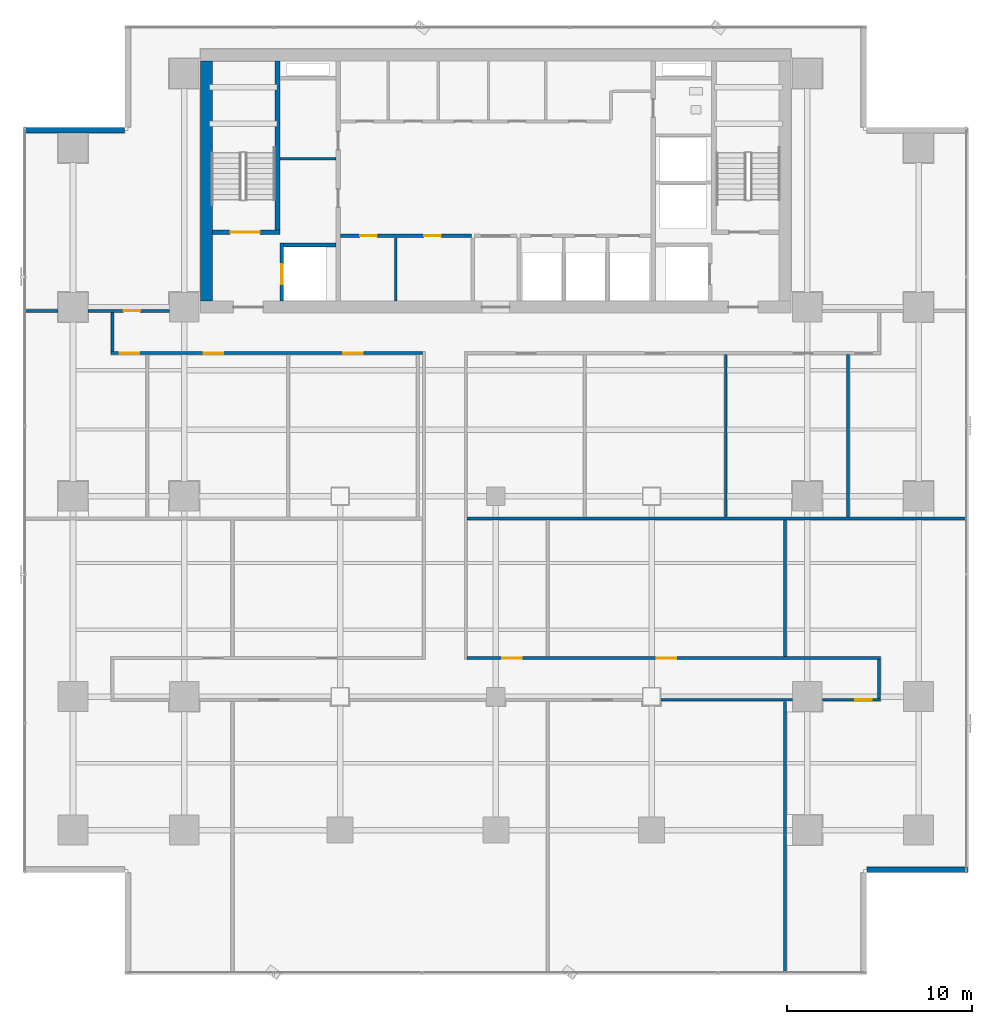
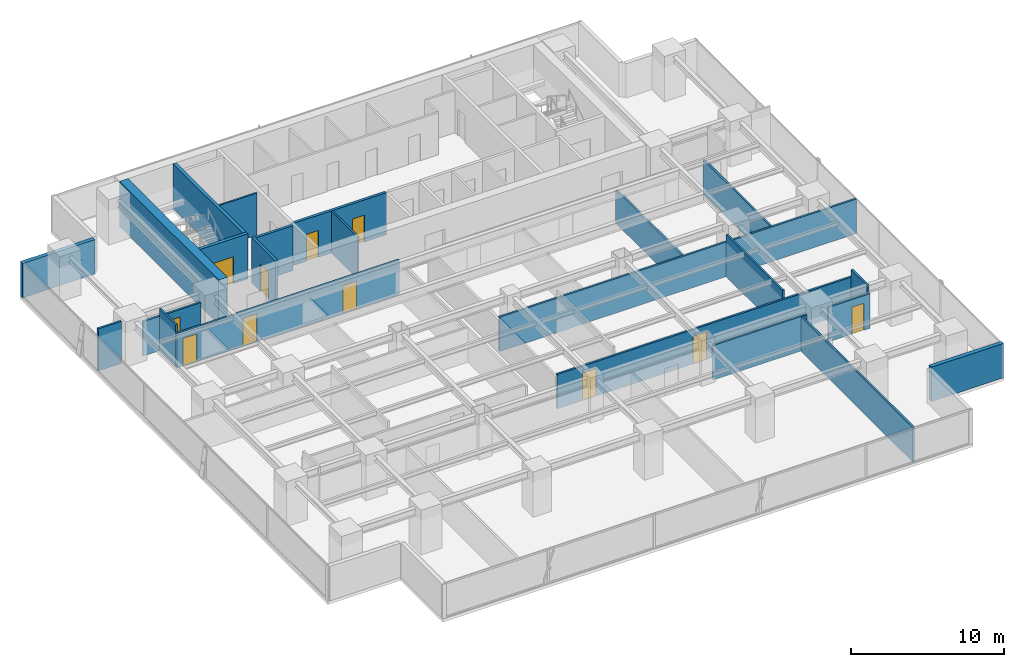
# One storey, part 26 of 34: 23 walls, 11 doors, 11 openings.
"""IFC4 building model written with IfcOpenShell, lengths in metres."""

from ifc_helpers import new_model, si_unit, direction, frame, frame_2d, origin, place, context, subcontext, project, spatial, rectangle, extrude, source, transform, mapped, material, layer, layer_set, type_object, element, fill, save


model = new_model("IFC4")

# Units and contexts
model_context = context("Model", 3, precision=1e-05, world=origin(), true_north=direction((0.0, 1.0)))
body_context = subcontext(model_context, "Body", "Model", "MODEL_VIEW")
ifc_project = project(units=[si_unit("LENGTHUNIT", "METRE"), si_unit("AREAUNIT", "SQUARE_METRE"), si_unit("VOLUMEUNIT", "CUBIC_METRE"), si_unit("PLANEANGLEUNIT", "RADIAN"), si_unit("MASSUNIT", "GRAM", prefix="KILO")], contexts=[model_context])

# Site, building, storey
site_placement = place(None, origin())
site = spatial("IfcSite", under=ifc_project, at=site_placement, CompositionType="ELEMENT")
building_placement = place(site_placement, origin())
building = spatial("IfcBuilding", under=site, at=building_placement, Name="Sumidabori Civic Tower", CompositionType="ELEMENT")
storey_placement = place(building_placement, frame((0.0, 0.0, 99.199951171875)))
storey = spatial("IfcBuildingStorey", under=building, at=storey_placement, Name="L25", CompositionType="ELEMENT", Elevation=99.199951171875)

# Walls
ifc_material_1 = material(Name="Concrete C50/60", Category="concrete")
ifc_layer_1 = layer(ifc_material_1, 0.199951171875, Name="Concrete C50/60")
ifc_layer_set_1 = layer_set([ifc_layer_1], Name="Concrete C50/60")
wall_type_1 = type_object("IfcWallType", Name="WL-SHAFT-200", PredefinedType="SHEAR", material=ifc_layer_set_1)
shared_shape_1 = source(origin(), body_context, "Body", "SweptSolid", [
    extrude(rectangle(XDim=2.824951171875, YDim=0.199951171875, at=frame_2d((1.41259765625, 0.0))), origin(), (0.0, 0.0, 1.0), 3.60009765625),
])
wall_1_placement = place(storey_placement, frame((-11.449951171875, 13.550048828125, 0.0), z_axis=(0.0, 0.0, 1.0), x_axis=(1.0, 0.0, 0.0)))
element("IfcWall", 1, at=wall_1_placement, inside=storey, type_object=wall_type_1, Name="Core Shear Wall L25 EL1-N", PredefinedType="SHEAR", context=body_context, shape_type="MappedRepresentation", body=[
    mapped(shared_shape_1, transform((0.0, 0.0, 0.0), x_axis=(1.0, 0.0, 0.0), y_axis=(0.0, 1.0, 0.0), z_axis=(0.0, 0.0, 1.0), scale=1.0)),
])
ifc_material_2 = material(Name="Concrete C60/75", Category="concrete")
ifc_layer_2 = layer(ifc_material_2, 0.64990234375, Name="Concrete C60/75")
ifc_layer_set_2 = layer_set([ifc_layer_2], Name="Concrete C60/75")
wall_type_2 = type_object("IfcWallType", Name="WL-CORE-650", PredefinedType="SHEAR", material=ifc_layer_set_2)
shared_shape_2 = source(origin(), body_context, "Body", "SweptSolid", [
    extrude(rectangle(XDim=12.9501953125, YDim=0.64990234375, at=frame_2d((6.47509765625, 0.0))), origin(), (0.0, 0.0, 1.0), 3.60009765625),
])
wall_2_placement = place(storey_placement, frame((-15.60009765625, 10.52490234375, 0.0), z_axis=(0.0, 0.0, 1.0), x_axis=(0.0, 1.0, 0.0)))
element("IfcWall", 2, at=wall_2_placement, inside=storey, type_object=wall_type_2, Name="Core Shear Wall L25 W", PredefinedType="SHEAR", context=body_context, shape_type="MappedRepresentation", body=[
    mapped(shared_shape_2, transform((0.0, 0.0, 0.0), x_axis=(1.0, 0.0, 0.0), y_axis=(0.0, 1.0, 0.0), z_axis=(0.0, 0.0, 1.0), scale=1.0)),
])

# Wall, opening, door
ifc_layer_3 = layer(ifc_material_1, 0.25, Name="Concrete C50/60")
ifc_layer_set_3 = layer_set([ifc_layer_3], Name="Concrete C50/60")
wall_type_3 = type_object("IfcWallType", Name="WL-SHAFT-250", PredefinedType="SHEAR", material=ifc_layer_set_3)
shared_shape_3 = source(origin(), body_context, "Body", "SweptSolid", [
    extrude(rectangle(XDim=3.6298828125, YDim=0.25, at=frame_2d((1.81494140625, 0.0))), origin(), (0.0, 0.0, 1.0), 3.60009765625),
])
wall_3_placement = place(storey_placement, frame((-15.27490234375, 14.25, 0.0), z_axis=(0.0, 0.0, 1.0), x_axis=(1.0, 0.0, 0.0)))
wall_3 = element("IfcWall", 3, at=wall_3_placement, inside=storey, type_object=wall_type_3, Name="Core Shear Wall L25 ST1-S", PredefinedType="SHEAR", context=body_context, shape_type="MappedRepresentation", body=[
    mapped(shared_shape_3, transform((0.0, 0.0, 0.0), x_axis=(1.0, 0.0, 0.0), y_axis=(0.0, 1.0, 0.0), z_axis=(0.0, 0.0, 1.0), scale=1.0)),
])
opening_1_placement = place(wall_3_placement, frame((0.949951171875, 0.0, 0.0)))
opening_1 = element("IfcOpeningElement", 4, at=opening_1_placement, cuts=wall_3, Name="Opening DR-FD4", PredefinedType="OPENING", context=body_context, shape_type="SweptSolid", body=[
    extrude(rectangle(XDim=1.60009765625, YDim=2.14990234375, at=frame_2d((0.800048828125, 1.074951171875))), frame((0.0, 0.136962890625, 0.0), z_axis=(0.0, -1.0, 0.0), x_axis=(1.0, 0.0, 0.0)), (0.0, 0.0, 1.0), 0.27392578125),
])
ifc_material_3 = material(Name="Steel SN490", Category="steel")
door_type_1 = type_object("IfcDoorType", Name="DR-FD4", OperationType="DOUBLE_DOOR_SINGLE_SWING", PredefinedType="DOOR", material=ifc_material_3)
shared_shape_4 = source(origin(), body_context, "Body", "SweptSolid", [
    extrude(rectangle(XDim=1.60009765625, YDim=2.14990234375, at=frame_2d((0.800048828125, 1.074951171875))), frame((0.0, 0.02490234375, 0.0), z_axis=(0.0, -1.0, 0.0), x_axis=(1.0, 0.0, 0.0)), (0.0, 0.0, 1.0), 0.050048828125),
])
door_1_placement = place(opening_1_placement, origin())
door_1 = element("IfcDoor", 5, at=door_1_placement, inside=storey, type_object=door_type_1, Name="Door DR:L25:ST1", OperationType="DOUBLE_DOOR_SINGLE_SWING", OverallHeight=2.14990234375, OverallWidth=1.60009765625, PredefinedType="DOOR", context=body_context, shape_type="MappedRepresentation", body=[
    mapped(shared_shape_4, transform((0.0, 0.0, 0.0), x_axis=(1.0, 0.0, 0.0), y_axis=(0.0, 1.0, 0.0), z_axis=(0.0, 0.0, 1.0), scale=1.0)),
])
fill(opening_1, door_1)

# Wall
shared_shape_5 = source(origin(), body_context, "Body", "SweptSolid", [
    extrude(rectangle(XDim=9.10009765625, YDim=0.25, at=frame_2d((4.550048828125, 0.0))), origin(), (0.0, 0.0, 1.0), 3.60009765625),
])
wall_4_placement = place(storey_placement, frame((-11.77001953125, 14.375, 0.0), z_axis=(0.0, 0.0, 1.0), x_axis=(0.0, 1.0, 0.0)))
element("IfcWall", 6, at=wall_4_placement, inside=storey, type_object=wall_type_3, Name="Core Shear Wall L25 ST1-E", PredefinedType="SHEAR", context=body_context, shape_type="MappedRepresentation", body=[
    mapped(shared_shape_5, transform((0.0, 0.0, 0.0), x_axis=(1.0, 0.0, 0.0), y_axis=(0.0, 1.0, 0.0), z_axis=(0.0, 0.0, 1.0), scale=1.0)),
])

# Wall, opening, door
shared_shape_6 = source(origin(), body_context, "Body", "SweptSolid", [
    extrude(rectangle(XDim=3.125, YDim=0.199951171875, at=frame_2d((1.5625, 0.0))), origin(), (0.0, 0.0, 1.0), 3.60009765625),
])
wall_5_placement = place(storey_placement, frame((-11.550048828125, 10.52490234375, 0.0), z_axis=(0.0, 0.0, 1.0), x_axis=(0.0, 1.0, 0.0)))
wall_5 = element("IfcWall", 7, at=wall_5_placement, inside=storey, type_object=wall_type_1, Name="Core Shear Wall L25 EL1-W", PredefinedType="SHEAR", context=body_context, shape_type="MappedRepresentation", body=[
    mapped(shared_shape_6, transform((0.0, 0.0, 0.0), x_axis=(1.0, 0.0, 0.0), y_axis=(0.0, 1.0, 0.0), z_axis=(0.0, 0.0, 1.0), scale=1.0)),
])
opening_2_placement = place(wall_5_placement, frame((0.89990234375, 0.0, 0.0)))
opening_2 = element("IfcOpeningElement", 8, at=opening_2_placement, cuts=wall_5, Name="Opening LD-2", PredefinedType="OPENING", context=body_context, shape_type="SweptSolid", body=[
    extrude(rectangle(XDim=1.10009765625, YDim=2.14990234375, at=frame_2d((0.550048828125, 1.074951171875))), frame((0.0, 0.11181640625, 0.0), z_axis=(0.0, -1.0, 0.0), x_axis=(1.0, 0.0, 0.0)), (0.0, 0.0, 1.0), 0.223876953125),
])
ifc_material_4 = material(Name="Stainless Steel Hairline Finish", Category="steel")
door_type_2 = type_object("IfcDoorType", Name="DR-LD2", OperationType="DOUBLE_DOOR_SLIDING", PredefinedType="DOOR", material=ifc_material_4)
shared_shape_7 = source(origin(), body_context, "Body", "SweptSolid", [
    extrude(rectangle(XDim=1.10009765625, YDim=2.14990234375, at=frame_2d((0.550048828125, 1.074951171875))), frame((0.0, 0.02490234375, 0.0), z_axis=(0.0, -1.0, 0.0), x_axis=(1.0, 0.0, 0.0)), (0.0, 0.0, 1.0), 0.050048828125),
])
door_2_placement = place(opening_2_placement, origin())
door_2 = element("IfcDoor", 9, at=door_2_placement, inside=storey, type_object=door_type_2, Name="Door DR:L25:LD-EL1", OperationType="DOUBLE_DOOR_SLIDING", OverallHeight=2.14990234375, OverallWidth=1.10009765625, PredefinedType="DOOR", context=body_context, shape_type="MappedRepresentation", body=[
    mapped(shared_shape_7, transform((0.0, 0.0, 0.0), x_axis=(1.0, 0.0, 0.0), y_axis=(0.0, 1.0, 0.0), z_axis=(0.0, 0.0, 1.0), scale=1.0)),
])
fill(opening_2, door_2)

# Walls
ifc_material_5 = material(Name="Precast concrete C40/50", Category="concrete")
ifc_layer_4 = layer(ifc_material_5, 0.300048828125, Name="Precast concrete C40/50")
ifc_layer_set_4 = layer_set([ifc_layer_4], Name="Precast concrete C40/50")
wall_type_4 = type_object("IfcWallType", Name="WL-EXT-POD300", PredefinedType="STANDARD", material=ifc_layer_set_4)
shared_shape_8 = source(origin(), body_context, "Body", "SweptSolid", [
    extrude(rectangle(XDim=5.4599609375, YDim=0.300048828125, at=frame_2d((2.72998046875, 0.0))), origin(), (0.0, 0.0, 1.0), 2.739990234375),
])
for number, where, z_axis, x_axis, name in (
    (10, (20.02001953125, -20.14990234375, 0.0), (0.0, 0.0, 1.0), (1.0, 0.0, 0.0), "Notched Corner Spandrel Band L25-03"),
    (11, (-20.02001953125, 19.75, 0.0), (0.0, 0.0, 1.0), (-1.0, 0.0, 0.0), "Notched Corner Spandrel Band L25-09"),
):
    element("IfcWall", number, at=place(storey_placement, frame(where, z_axis=z_axis, x_axis=x_axis)), inside=storey, type_object=wall_type_4, Name=name, PredefinedType="STANDARD", context=body_context, shape_type="MappedRepresentation", body=[
        mapped(shared_shape_8, transform((0.0, 0.0, 0.0), x_axis=(1.0, 0.0, 0.0), y_axis=(0.0, 1.0, 0.0), z_axis=(0.0, 0.0, 1.0), scale=1.0)),
    ])

# Wall, openings, doors
ifc_material_6 = material(Name="Gypsum Plasterboard Fire Partition")
ifc_layer_5 = layer(ifc_material_6, 0.199951171875, Name="Gypsum Plasterboard Fire Partition")
ifc_layer_set_5 = layer_set([ifc_layer_5], Name="Gypsum Plasterboard Fire Partition")
wall_type_5 = type_object("IfcWallType", Name="WL-PART-FIRE", PredefinedType="PARTITIONING", material=ifc_layer_set_5)
shared_shape_9 = source(origin(), body_context, "Body", "SweptSolid", [
    extrude(rectangle(XDim=7.070068359375, YDim=0.199951171875, at=frame_2d((3.53515625, 0.0))), origin(), (0.0, 0.0, 1.0), 3.360107421875),
])
wall_6_placement = place(storey_placement, frame((-8.3701171875, 14.050048828125, 0.0), z_axis=(0.0, 0.0, 1.0), x_axis=(1.0, 0.0, 0.0)))
wall_6 = element("IfcWall", 12, at=wall_6_placement, inside=storey, type_object=wall_type_5, Name="Interior Partition WL:L25:CBAND-SW", PredefinedType="PARTITIONING", context=body_context, shape_type="MappedRepresentation", body=[
    mapped(shared_shape_9, transform((0.0, 0.0, 0.0), x_axis=(1.0, 0.0, 0.0), y_axis=(0.0, 1.0, 0.0), z_axis=(0.0, 0.0, 1.0), scale=1.0)),
])
opening_3_placement = place(wall_6_placement, frame((1.06005859375, 0.0, 0.0)))
opening_3 = element("IfcOpeningElement", 13, at=opening_3_placement, cuts=wall_6, Name="Opening DR-1", PredefinedType="OPENING", context=body_context, shape_type="SweptSolid", body=[
    extrude(rectangle(XDim=0.89990234375, YDim=2.14990234375, at=frame_2d((0.449951171875, 1.074951171875))), frame((0.0, 0.11181640625, 0.0), z_axis=(0.0, -1.0, 0.0), x_axis=(1.0, 0.0, 0.0)), (0.0, 0.0, 1.0), 0.223876953125),
])
opening_4_placement = place(wall_6_placement, frame((4.510009765625, 0.0, 0.0)))
opening_4 = element("IfcOpeningElement", 14, at=opening_4_placement, cuts=wall_6, Name="Opening DR-1", PredefinedType="OPENING", context=body_context, shape_type="SweptSolid", body=[
    extrude(rectangle(XDim=0.89990234375, YDim=2.14990234375, at=frame_2d((0.449951171875, 1.074951171875))), frame((0.0, 0.11181640625, 0.0), z_axis=(0.0, -1.0, 0.0), x_axis=(1.0, 0.0, 0.0)), (0.0, 0.0, 1.0), 0.223876953125),
])
ifc_material_7 = material(Name="Japanese Hinoki Timber", Category="wood")
door_type_3 = type_object("IfcDoorType", Name="DR-INT-900", OperationType="NOTDEFINED", PredefinedType="DOOR", material=ifc_material_7)
shared_shape_10 = source(origin(), body_context, "Body", "SweptSolid", [
    extrude(rectangle(XDim=0.89990234375, YDim=2.14990234375, at=frame_2d((0.449951171875, 1.074951171875))), frame((0.0, 0.02490234375, 0.0), z_axis=(0.0, -1.0, 0.0), x_axis=(1.0, 0.0, 0.0)), (0.0, 0.0, 1.0), 0.050048828125),
])
door_3_placement = place(opening_3_placement, origin())
door_3 = element("IfcDoor", 15, at=door_3_placement, inside=storey, type_object=door_type_3, Name="Door DR:L25:REC-B1A", OperationType="SINGLE_SWING_LEFT", OverallHeight=2.14990234375, OverallWidth=0.89990234375, PredefinedType="DOOR", context=body_context, shape_type="MappedRepresentation", body=[
    mapped(shared_shape_10, transform((0.0, 0.0, 0.0), x_axis=(1.0, 0.0, 0.0), y_axis=(0.0, 1.0, 0.0), z_axis=(0.0, 0.0, 1.0), scale=1.0)),
])
fill(opening_3, door_3)
door_4_placement = place(opening_4_placement, origin())
door_4 = element("IfcDoor", 16, at=door_4_placement, inside=storey, type_object=door_type_3, Name="Door DR:L25:REC-B1B", OperationType="SINGLE_SWING_RIGHT", OverallHeight=2.14990234375, OverallWidth=0.89990234375, PredefinedType="DOOR", context=body_context, shape_type="MappedRepresentation", body=[
    mapped(shared_shape_10, transform((0.0, 0.0, 0.0), x_axis=(1.0, 0.0, 0.0), y_axis=(0.0, 1.0, 0.0), z_axis=(0.0, 0.0, 1.0), scale=1.0)),
])
fill(opening_4, door_4)

# Walls
ifc_material_8 = material(Name="Gypsum Plasterboard Acoustic Partition")
ifc_layer_6 = layer(ifc_material_8, 0.1201171875, Name="Gypsum Plasterboard Acoustic Partition")
ifc_layer_set_6 = layer_set([ifc_layer_6], Name="Gypsum Plasterboard Acoustic Partition")
wall_type_6 = type_object("IfcWallType", Name="WL-PART-120", PredefinedType="PARTITIONING", material=ifc_layer_set_6)
shared_shape_11 = source(origin(), body_context, "Body", "SweptSolid", [
    extrude(rectangle(XDim=3.010009765625, YDim=0.1201171875, at=frame_2d((1.5048828125, 0.0))), origin(), (0.0, 0.0, 1.0), 3.360107421875),
])
wall_7_placement = place(storey_placement, frame((-11.639892578125, 18.199951171875, 0.0), z_axis=(0.0, 0.0, 1.0), x_axis=(1.0, 0.0, 0.0)))
element("IfcWall", 17, at=wall_7_placement, inside=storey, type_object=wall_type_6, Name="Interior Partition WL:L25:CW-MID", PredefinedType="PARTITIONING", context=body_context, shape_type="MappedRepresentation", body=[
    mapped(shared_shape_11, transform((0.0, 0.0, 0.0), x_axis=(1.0, 0.0, 0.0), y_axis=(0.0, 1.0, 0.0), z_axis=(0.0, 0.0, 1.0), scale=1.0)),
])
shared_shape_12 = source(origin(), body_context, "Body", "SweptSolid", [
    extrude(rectangle(XDim=3.4150390625, YDim=0.1201171875, at=frame_2d((1.70751953125, 0.0))), origin(), (0.0, 0.0, 1.0), 3.360107421875),
])
wall_8_placement = place(storey_placement, frame((-5.39990234375, 10.52490234375, 0.0), z_axis=(0.0, 0.0, 1.0), x_axis=(0.0, 1.0, 0.0)))
element("IfcWall", 18, at=wall_8_placement, inside=storey, type_object=wall_type_6, Name="Interior Partition WL:L25:REC-B1-SP", PredefinedType="PARTITIONING", context=body_context, shape_type="MappedRepresentation", body=[
    mapped(shared_shape_12, transform((0.0, 0.0, 0.0), x_axis=(1.0, 0.0, 0.0), y_axis=(0.0, 1.0, 0.0), z_axis=(0.0, 0.0, 1.0), scale=1.0)),
])
ifc_layer_7 = layer(ifc_material_8, 0.14990234375, Name="Gypsum Plasterboard Acoustic Partition")
ifc_layer_set_7 = layer_set([ifc_layer_7], Name="Gypsum Plasterboard Acoustic Partition")
wall_type_7 = type_object("IfcWallType", Name="WL-PART-150", PredefinedType="PARTITIONING", material=ifc_layer_set_7)
shared_shape_13 = source(origin(), body_context, "Body", "SweptSolid", [
    extrude(rectangle(XDim=1.739990234375, YDim=0.14990234375, at=frame_2d((0.8701171875, 0.0))), origin(), (0.0, 0.0, 1.0), 3.360107421875),
])
wall_9_placement = place(storey_placement, frame((-25.35009765625, 10.0, 0.0), z_axis=(0.0, 0.0, 1.0), x_axis=(1.0, 0.0, 0.0)))
element("IfcWall", 19, at=wall_9_placement, inside=storey, type_object=wall_type_7, Name="Interior Partition WL:L25:FLK-NW-1", PredefinedType="PARTITIONING", context=body_context, shape_type="MappedRepresentation", body=[
    mapped(shared_shape_13, transform((0.0, 0.0, 0.0), x_axis=(1.0, 0.0, 0.0), y_axis=(0.0, 1.0, 0.0), z_axis=(0.0, 0.0, 1.0), scale=1.0)),
])

# Wall, opening, door
shared_shape_14 = source(origin(), body_context, "Body", "SweptSolid", [
    extrude(rectangle(XDim=4.3798828125, YDim=0.14990234375, at=frame_2d((2.18994140625, 0.0))), origin(), (0.0, 0.0, 1.0), 2.7451171875),
])
wall_10_placement = place(storey_placement, frame((-21.989990234375, 10.0, 0.0), z_axis=(0.0, 0.0, 1.0), x_axis=(1.0, 0.0, 0.0)))
wall_10 = element("IfcWall", 20, at=wall_10_placement, inside=storey, type_object=wall_type_7, Name="Interior Partition WL:L25:FLK-NW-2", PredefinedType="PARTITIONING", context=body_context, shape_type="MappedRepresentation", body=[
    mapped(shared_shape_14, transform((0.0, 0.0, 0.0), x_axis=(1.0, 0.0, 0.0), y_axis=(0.0, 1.0, 0.0), z_axis=(0.0, 0.0, 1.0), scale=1.0)),
])
opening_5_placement = place(wall_10_placement, frame((1.9150390625, 0.0, 0.0)))
opening_5 = element("IfcOpeningElement", 21, at=opening_5_placement, cuts=wall_10, Name="Opening DR-1", PredefinedType="OPENING", context=body_context, shape_type="SweptSolid", body=[
    extrude(rectangle(XDim=0.89990234375, YDim=2.14990234375, at=frame_2d((0.449951171875, 1.074951171875))), frame((0.0, 0.0869140625, 0.0), z_axis=(0.0, -1.0, 0.0), x_axis=(1.0, 0.0, 0.0)), (0.0, 0.0, 1.0), 0.173828125),
])
door_5_placement = place(opening_5_placement, origin())
door_5 = element("IfcDoor", 22, at=door_5_placement, inside=storey, type_object=door_type_3, Name="Door DR:L25:FLK-NE", OperationType="SINGLE_SWING_LEFT", OverallHeight=2.14990234375, OverallWidth=0.89990234375, PredefinedType="DOOR", context=body_context, shape_type="MappedRepresentation", body=[
    mapped(shared_shape_10, transform((0.0, 0.0, 0.0), x_axis=(1.0, 0.0, 0.0), y_axis=(0.0, 1.0, 0.0), z_axis=(0.0, 0.0, 1.0), scale=1.0)),
])
fill(opening_5, door_5)

# Wall, openings, doors
shared_shape_15 = source(origin(), body_context, "Body", "SweptSolid", [
    extrude(rectangle(XDim=16.800048828125, YDim=0.14990234375, at=frame_2d((8.39990234375, 0.0))), origin(), (0.0, 0.0, 1.0), 2.7451171875),
])
wall_11_placement = place(storey_placement, frame((-20.75, 7.72509765625, 0.0), z_axis=(0.0, 0.0, 1.0), x_axis=(1.0, 0.0, 0.0)))
wall_11 = element("IfcWall", 23, at=wall_11_placement, inside=storey, type_object=wall_type_7, Name="Interior Partition WL:L25:CORR-SW", PredefinedType="PARTITIONING", context=body_context, shape_type="MappedRepresentation", body=[
    mapped(shared_shape_15, transform((0.0, 0.0, 0.0), x_axis=(1.0, 0.0, 0.0), y_axis=(0.0, 1.0, 0.0), z_axis=(0.0, 0.0, 1.0), scale=1.0)),
])
opening_6_placement = place(wall_11_placement, frame((0.4775390625, 0.0, 0.0)))
opening_6 = element("IfcOpeningElement", 24, at=opening_6_placement, cuts=wall_11, Name="Opening DR-4", PredefinedType="OPENING", context=body_context, shape_type="SweptSolid", body=[
    extrude(rectangle(XDim=1.0400390625, YDim=2.199951171875, at=frame_2d((0.52001953125, 1.10009765625))), frame((0.0, 0.0869140625, 0.0), z_axis=(0.0, -1.0, 0.0), x_axis=(1.0, 0.0, 0.0)), (0.0, 0.0, 1.0), 0.173828125),
])
opening_7_placement = place(wall_11_placement, frame((5.010009765625, 0.0, 0.0)))
opening_7 = element("IfcOpeningElement", 25, at=opening_7_placement, cuts=wall_11, Name="Opening DR-4", PredefinedType="OPENING", context=body_context, shape_type="SweptSolid", body=[
    extrude(rectangle(XDim=1.0400390625, YDim=2.199951171875, at=frame_2d((0.52001953125, 1.10009765625))), frame((0.0, 0.0869140625, 0.0), z_axis=(0.0, -1.0, 0.0), x_axis=(1.0, 0.0, 0.0)), (0.0, 0.0, 1.0), 0.173828125),
])
opening_8_placement = place(wall_11_placement, frame((12.530029296875, 0.0, 0.0)))
opening_8 = element("IfcOpeningElement", 26, at=opening_8_placement, cuts=wall_11, Name="Opening DR-4", PredefinedType="OPENING", context=body_context, shape_type="SweptSolid", body=[
    extrude(rectangle(XDim=1.0400390625, YDim=2.199951171875, at=frame_2d((0.52001953125, 1.10009765625))), frame((0.0, 0.0869140625, 0.0), z_axis=(0.0, -1.0, 0.0), x_axis=(1.0, 0.0, 0.0)), (0.0, 0.0, 1.0), 0.173828125),
])
door_type_4 = type_object("IfcDoorType", Name="DR-INT-1040", OperationType="NOTDEFINED", PredefinedType="DOOR", material=ifc_material_7)
shared_shape_16 = source(origin(), body_context, "Body", "SweptSolid", [
    extrude(rectangle(XDim=1.0400390625, YDim=2.199951171875, at=frame_2d((0.52001953125, 1.10009765625))), frame((0.0, 0.02490234375, 0.0), z_axis=(0.0, -1.0, 0.0), x_axis=(1.0, 0.0, 0.0)), (0.0, 0.0, 1.0), 0.050048828125),
])
door_6_placement = place(opening_6_placement, origin())
door_6 = element("IfcDoor", 27, at=door_6_placement, inside=storey, type_object=door_type_4, Name="Door DR:L25:D02", OperationType="SINGLE_SWING_RIGHT", OverallHeight=2.199951171875, OverallWidth=1.0400390625, PredefinedType="DOOR", context=body_context, shape_type="MappedRepresentation", body=[
    mapped(shared_shape_16, transform((0.0, 0.0, 0.0), x_axis=(1.0, 0.0, 0.0), y_axis=(0.0, 1.0, 0.0), z_axis=(0.0, 0.0, 1.0), scale=1.0)),
])
fill(opening_6, door_6)
door_7_placement = place(opening_7_placement, origin())
door_7 = element("IfcDoor", 28, at=door_7_placement, inside=storey, type_object=door_type_4, Name="Door DR:L25:D05", OperationType="SINGLE_SWING_LEFT", OverallHeight=2.199951171875, OverallWidth=1.0400390625, PredefinedType="DOOR", context=body_context, shape_type="MappedRepresentation", body=[
    mapped(shared_shape_16, transform((0.0, 0.0, 0.0), x_axis=(1.0, 0.0, 0.0), y_axis=(0.0, 1.0, 0.0), z_axis=(0.0, 0.0, 1.0), scale=1.0)),
])
fill(opening_7, door_7)
door_8_placement = place(opening_8_placement, origin())
door_8 = element("IfcDoor", 29, at=door_8_placement, inside=storey, type_object=door_type_4, Name="Door DR:L25:D06", OperationType="SINGLE_SWING_RIGHT", OverallHeight=2.199951171875, OverallWidth=1.0400390625, PredefinedType="DOOR", context=body_context, shape_type="MappedRepresentation", body=[
    mapped(shared_shape_16, transform((0.0, 0.0, 0.0), x_axis=(1.0, 0.0, 0.0), y_axis=(0.0, 1.0, 0.0), z_axis=(0.0, 0.0, 1.0), scale=1.0)),
])
fill(opening_8, door_8)

shared_shape_17 = source(origin(), body_context, "Body", "SweptSolid", [
    extrude(rectangle(XDim=22.300048828125, YDim=0.14990234375, at=frame_2d((11.14990234375, 0.0))), origin(), (0.0, 0.0, 1.0), 2.7451171875),
])
wall_12_placement = place(storey_placement, frame((-1.550048828125, -8.72509765625, 0.0), z_axis=(0.0, 0.0, 1.0), x_axis=(1.0, 0.0, 0.0)))
wall_12 = element("IfcWall", 30, at=wall_12_placement, inside=storey, type_object=wall_type_7, Name="Interior Partition WL:L25:CORR-MNE", PredefinedType="PARTITIONING", context=body_context, shape_type="MappedRepresentation", body=[
    mapped(shared_shape_17, transform((0.0, 0.0, 0.0), x_axis=(1.0, 0.0, 0.0), y_axis=(0.0, 1.0, 0.0), z_axis=(0.0, 0.0, 1.0), scale=1.0)),
])
opening_9_placement = place(wall_12_placement, frame((1.8974609375, 0.0, 0.0)))
opening_9 = element("IfcOpeningElement", 31, at=opening_9_placement, cuts=wall_12, Name="Opening DR-4", PredefinedType="OPENING", context=body_context, shape_type="SweptSolid", body=[
    extrude(rectangle(XDim=1.0400390625, YDim=2.199951171875, at=frame_2d((0.52001953125, 1.10009765625))), frame((0.0, 0.0869140625, 0.0), z_axis=(0.0, -1.0, 0.0), x_axis=(1.0, 0.0, 0.0)), (0.0, 0.0, 1.0), 0.173828125),
])
opening_10_placement = place(wall_12_placement, frame((10.22998046875, 0.0, 0.0)))
opening_10 = element("IfcOpeningElement", 32, at=opening_10_placement, cuts=wall_12, Name="Opening DR-4", PredefinedType="OPENING", context=body_context, shape_type="SweptSolid", body=[
    extrude(rectangle(XDim=1.0400390625, YDim=2.199951171875, at=frame_2d((0.52001953125, 1.10009765625))), frame((0.0, 0.0869140625, 0.0), z_axis=(0.0, -1.0, 0.0), x_axis=(1.0, 0.0, 0.0)), (0.0, 0.0, 1.0), 0.173828125),
])
door_9_placement = place(opening_9_placement, origin())
door_9 = element("IfcDoor", 33, at=door_9_placement, inside=storey, type_object=door_type_4, Name="Door DR:L25:D10", OperationType="SINGLE_SWING_RIGHT", OverallHeight=2.199951171875, OverallWidth=1.0400390625, PredefinedType="DOOR", context=body_context, shape_type="MappedRepresentation", body=[
    mapped(shared_shape_16, transform((0.0, 0.0, 0.0), x_axis=(1.0, 0.0, 0.0), y_axis=(0.0, 1.0, 0.0), z_axis=(0.0, 0.0, 1.0), scale=1.0)),
])
fill(opening_9, door_9)
door_10_placement = place(opening_10_placement, origin())
door_10 = element("IfcDoor", 34, at=door_10_placement, inside=storey, type_object=door_type_4, Name="Door DR:L25:D11", OperationType="SINGLE_SWING_LEFT", OverallHeight=2.199951171875, OverallWidth=1.0400390625, PredefinedType="DOOR", context=body_context, shape_type="MappedRepresentation", body=[
    mapped(shared_shape_16, transform((0.0, 0.0, 0.0), x_axis=(1.0, 0.0, 0.0), y_axis=(0.0, 1.0, 0.0), z_axis=(0.0, 0.0, 1.0), scale=1.0)),
])
fill(opening_10, door_10)

# Wall, opening, door
shared_shape_18 = source(origin(), body_context, "Body", "SweptSolid", [
    extrude(rectangle(XDim=3.139892578125, YDim=0.14990234375, at=frame_2d((1.56982421875, 0.0))), origin(), (0.0, 0.0, 1.0), 2.7451171875),
])
wall_13_placement = place(storey_placement, frame((17.610107421875, -10.97509765625, 0.0), z_axis=(0.0, 0.0, 1.0), x_axis=(1.0, 0.0, 0.0)))
wall_13 = element("IfcWall", 35, at=wall_13_placement, inside=storey, type_object=wall_type_7, Name="Interior Partition WL:L25:CORR-SS-6", PredefinedType="PARTITIONING", context=body_context, shape_type="MappedRepresentation", body=[
    mapped(shared_shape_18, transform((0.0, 0.0, 0.0), x_axis=(1.0, 0.0, 0.0), y_axis=(0.0, 1.0, 0.0), z_axis=(0.0, 0.0, 1.0), scale=1.0)),
])
opening_11_placement = place(wall_13_placement, frame((1.780029296875, 0.0, 0.0)))
opening_11 = element("IfcOpeningElement", 36, at=opening_11_placement, cuts=wall_13, Name="Opening DR-1", PredefinedType="OPENING", context=body_context, shape_type="SweptSolid", body=[
    extrude(rectangle(XDim=0.89990234375, YDim=2.14990234375, at=frame_2d((0.449951171875, 1.074951171875))), frame((0.0, 0.0869140625, 0.0), z_axis=(0.0, -1.0, 0.0), x_axis=(1.0, 0.0, 0.0)), (0.0, 0.0, 1.0), 0.173828125),
])
door_11_placement = place(opening_11_placement, origin())
door_11 = element("IfcDoor", 37, at=door_11_placement, inside=storey, type_object=door_type_3, Name="Door DR:L25:D12", OperationType="SINGLE_SWING_RIGHT", OverallHeight=2.14990234375, OverallWidth=0.89990234375, PredefinedType="DOOR", context=body_context, shape_type="MappedRepresentation", body=[
    mapped(shared_shape_10, transform((0.0, 0.0, 0.0), x_axis=(1.0, 0.0, 0.0), y_axis=(0.0, 1.0, 0.0), z_axis=(0.0, 0.0, 1.0), scale=1.0)),
])
fill(opening_11, door_11)

# Walls
shared_shape_19 = source(origin(), body_context, "Body", "SweptSolid", [
    extrude(rectangle(XDim=7.080078125, YDim=0.14990234375, at=frame_2d((3.5400390625, 0.0))), origin(), (0.0, 0.0, 1.0), 2.7451171875),
])
wall_14_placement = place(storey_placement, frame((8.909912109375, -10.97509765625, 0.0), z_axis=(0.0, 0.0, 1.0), x_axis=(1.0, 0.0, 0.0)))
element("IfcWall", 38, at=wall_14_placement, inside=storey, type_object=wall_type_7, Name="Interior Partition WL:L25:CORR-SS-5", PredefinedType="PARTITIONING", context=body_context, shape_type="MappedRepresentation", body=[
    mapped(shared_shape_19, transform((0.0, 0.0, 0.0), x_axis=(1.0, 0.0, 0.0), y_axis=(0.0, 1.0, 0.0), z_axis=(0.0, 0.0, 1.0), scale=1.0)),
])
shared_shape_20 = source(origin(), body_context, "Body", "SweptSolid", [
    extrude(rectangle(XDim=2.114990234375, YDim=0.14990234375, at=frame_2d((1.0576171875, 0.0))), origin(), (0.0, 0.0, 1.0), 3.360107421875),
])
wall_15_placement = place(storey_placement, frame((-20.675048828125, 7.804931640625, 0.0), z_axis=(0.0, 0.0, 1.0), x_axis=(0.0, 1.0, 0.0)))
element("IfcWall", 39, at=wall_15_placement, inside=storey, type_object=wall_type_7, Name="Interior Partition WL:L25:CORR-VNW", PredefinedType="PARTITIONING", context=body_context, shape_type="MappedRepresentation", body=[
    mapped(shared_shape_20, transform((0.0, 0.0, 0.0), x_axis=(1.0, 0.0, 0.0), y_axis=(0.0, 1.0, 0.0), z_axis=(0.0, 0.0, 1.0), scale=1.0)),
])
shared_shape_21 = source(origin(), body_context, "Body", "SweptSolid", [
    extrude(rectangle(XDim=2.090087890625, YDim=0.14990234375, at=frame_2d((1.044921875, 0.0))), origin(), (0.0, 0.0, 1.0), 3.360107421875),
])
wall_16_placement = place(storey_placement, frame((20.675048828125, -10.89501953125, 0.0), z_axis=(0.0, 0.0, 1.0), x_axis=(0.0, 1.0, 0.0)))
element("IfcWall", 40, at=wall_16_placement, inside=storey, type_object=wall_type_7, Name="Interior Partition WL:L25:CORR-VSE", PredefinedType="PARTITIONING", context=body_context, shape_type="MappedRepresentation", body=[
    mapped(shared_shape_21, transform((0.0, 0.0, 0.0), x_axis=(1.0, 0.0, 0.0), y_axis=(0.0, 1.0, 0.0), z_axis=(0.0, 0.0, 1.0), scale=1.0)),
])
shared_shape_22 = source(origin(), body_context, "Body", "SweptSolid", [
    extrude(rectangle(XDim=26.89501953125, YDim=0.14990234375, at=frame_2d((13.447509765625, 0.0))), origin(), (0.0, 0.0, 1.0), 2.7451171875),
])
wall_17_placement = place(storey_placement, frame((-1.544921875, -1.199951171875, 0.0), z_axis=(0.0, 0.0, 1.0), x_axis=(1.0, 0.0, 0.0)))
element("IfcWall", 41, at=wall_17_placement, inside=storey, type_object=wall_type_7, Name="Interior Partition WL:L25:BAND-Y-2", PredefinedType="PARTITIONING", context=body_context, shape_type="MappedRepresentation", body=[
    mapped(shared_shape_22, transform((0.0, 0.0, 0.0), x_axis=(1.0, 0.0, 0.0), y_axis=(0.0, 1.0, 0.0), z_axis=(0.0, 0.0, 1.0), scale=1.0)),
])
shared_shape_23 = source(origin(), body_context, "Body", "SweptSolid", [
    extrude(rectangle(XDim=8.76513671875, YDim=0.14990234375, at=frame_2d((4.382568359375, 0.0))), origin(), (0.0, 0.0, 1.0), 2.7451171875),
])
wall_18_placement = place(storey_placement, frame((19.0, -1.1201171875, 0.0), z_axis=(0.0, 0.0, 1.0), x_axis=(0.0, 1.0, 0.0)))
element("IfcWall", 42, at=wall_18_placement, inside=storey, type_object=wall_type_7, Name="Interior Partition WL:L25:VX-N6", PredefinedType="PARTITIONING", context=body_context, shape_type="MappedRepresentation", body=[
    mapped(shared_shape_23, transform((0.0, 0.0, 0.0), x_axis=(1.0, 0.0, 0.0), y_axis=(0.0, 1.0, 0.0), z_axis=(0.0, 0.0, 1.0), scale=1.0)),
])
shared_shape_24 = source(origin(), body_context, "Body", "SweptSolid", [
    extrude(rectangle(XDim=8.76513671875, YDim=0.14990234375, at=frame_2d((4.382568359375, 0.0))), origin(), (0.0, 0.0, 1.0), 2.64501953125),
])
wall_19_placement = place(storey_placement, frame((12.39990234375, -1.1201171875, 0.0), z_axis=(0.0, 0.0, 1.0), x_axis=(0.0, 1.0, 0.0)))
element("IfcWall", 43, at=wall_19_placement, inside=storey, type_object=wall_type_7, Name="Interior Partition WL:L25:VX-N5", PredefinedType="PARTITIONING", context=body_context, shape_type="MappedRepresentation", body=[
    mapped(shared_shape_24, transform((0.0, 0.0, 0.0), x_axis=(1.0, 0.0, 0.0), y_axis=(0.0, 1.0, 0.0), z_axis=(0.0, 0.0, 1.0), scale=1.0)),
])
shared_shape_25 = source(origin(), body_context, "Body", "SweptSolid", [
    extrude(rectangle(XDim=14.594970703125, YDim=0.14990234375, at=frame_2d((7.29736328125, 0.0))), origin(), (0.0, 0.0, 1.0), 2.7451171875),
])
wall_20_placement = place(storey_placement, frame((15.60009765625, -25.64990234375, 0.0), z_axis=(0.0, 0.0, 1.0), x_axis=(0.0, 1.0, 0.0)))
element("IfcWall", 44, at=wall_20_placement, inside=storey, type_object=wall_type_7, Name="Interior Partition WL:L25:VX-S3-1", PredefinedType="PARTITIONING", context=body_context, shape_type="MappedRepresentation", body=[
    mapped(shared_shape_25, transform((0.0, 0.0, 0.0), x_axis=(1.0, 0.0, 0.0), y_axis=(0.0, 1.0, 0.0), z_axis=(0.0, 0.0, 1.0), scale=1.0)),
])
shared_shape_26 = source(origin(), body_context, "Body", "SweptSolid", [
    extrude(rectangle(XDim=7.364990234375, YDim=0.14990234375, at=frame_2d((3.6826171875, 0.0))), origin(), (0.0, 0.0, 1.0), 3.360107421875),
])
wall_21_placement = place(storey_placement, frame((15.60009765625, -8.64501953125, 0.0), z_axis=(0.0, 0.0, 1.0), x_axis=(0.0, 1.0, 0.0)))
element("IfcWall", 45, at=wall_21_placement, inside=storey, type_object=wall_type_7, Name="Interior Partition WL:L25:VX-S3-2", PredefinedType="PARTITIONING", context=body_context, shape_type="MappedRepresentation", body=[
    mapped(shared_shape_26, transform((0.0, 0.0, 0.0), x_axis=(1.0, 0.0, 0.0), y_axis=(0.0, 1.0, 0.0), z_axis=(0.0, 0.0, 1.0), scale=1.0)),
])

save(model, "model.ifc")
